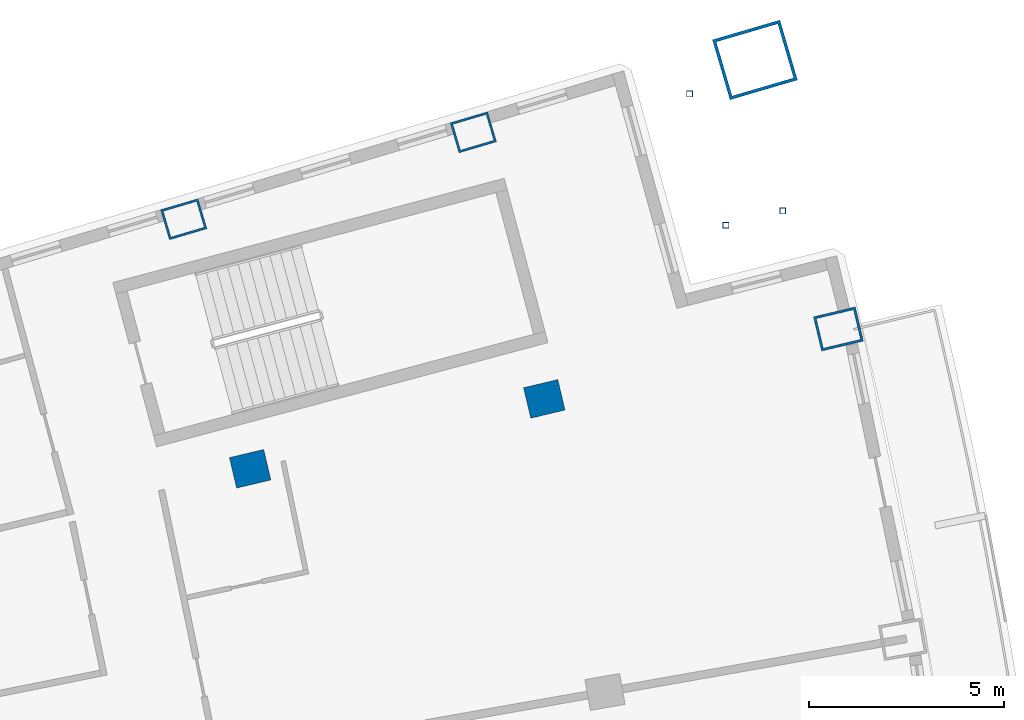
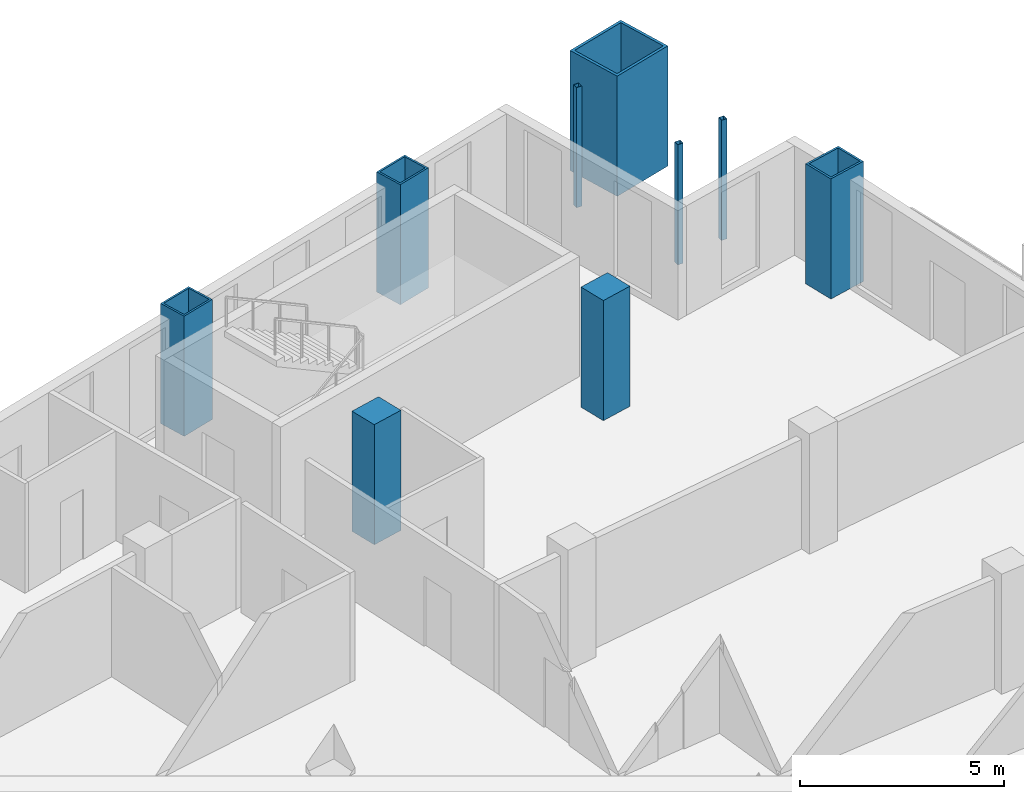
# One storey, part 8 of 19: 9 columns.
"""IFC4 building model written with IfcOpenShell, lengths in metres."""

from ifc_helpers import new_model, si_unit, direction, frame, origin, origin_2d, place, context, subcontext, project, spatial, rectangle, hollow_rectangle, extrude, material, material_profile, profile_set, type_object, element, save


model = new_model("IFC4")

# Units and contexts
model_context = context("Model", 3, precision=1e-05, world=origin(), true_north=direction((0.0, 1.0)))
body_context = subcontext(model_context, "Body", "Model", "MODEL_VIEW")
ifc_project = project(units=[si_unit("LENGTHUNIT", "METRE"), si_unit("AREAUNIT", "SQUARE_METRE"), si_unit("VOLUMEUNIT", "CUBIC_METRE"), si_unit("PLANEANGLEUNIT", "RADIAN"), si_unit("MASSUNIT", "GRAM", prefix="KILO")], contexts=[model_context])

# Site, building, storey
site_placement = place(None, origin())
site = spatial("IfcSite", under=ifc_project, at=site_placement, CompositionType="ELEMENT")
building_placement = place(site_placement, origin())
building = spatial("IfcBuilding", under=site, at=building_placement, Name="Alderwake Tower", CompositionType="ELEMENT")
storey_placement = place(building_placement, frame((0.0, 0.0, 174.800048828125)))
storey = spatial("IfcBuildingStorey", under=building, at=storey_placement, Name="L43", CompositionType="ELEMENT", Elevation=174.800048828125)

# Columns
ifc_material_1 = material(Name="Steel ASTM A572 Grade 50 concrete filled C70/85", Category="concrete")
ifc_material_profile_1 = material_profile(ifc_material_1, hollow_rectangle(XDim=0.800048828125, YDim=1.0, WallThickness=0.054931640625, at=origin_2d()), Name="BOX 1000X800X55")
ifc_profile_set_1 = profile_set([ifc_material_profile_1], Name="Steel ASTM A572 Grade 50 concrete filled C70/85")
column_type_1 = type_object("IfcColumnType", Name="End column Z3", PredefinedType="COLUMN", material=ifc_profile_set_1)
for number, where, z_axis, x_axis, name in (
    (1, (38.487060546875, 95.94677734375, 0.0), (0.0, 0.0, 1.0), (-0.282893935167, 0.959151198428, 0.0), "Column R12-C3"),
    (2, (45.89404296875, 98.17041015625, 0.0), (0.0, 0.0, 1.0), (-0.283168465256, 0.959070185276, 0.0), "Column R12-C4"),
):
    element("IfcColumn", number, at=place(storey_placement, frame(where, z_axis=z_axis, x_axis=x_axis)), inside=storey, type_object=column_type_1, Name=name, PredefinedType="COLUMN", context=body_context, shape_type="SweptSolid", body=[
        extrude(hollow_rectangle(XDim=0.800048828125, YDim=1.0, WallThickness=0.054931640625, at=origin_2d()), origin(), (0.0, 0.0, 1.0), 3.599853515625),
    ])
ifc_material_2 = material(Name="Concrete C70/85", Category="concrete")
ifc_material_profile_2 = material_profile(ifc_material_2, rectangle(XDim=0.800048828125, YDim=0.89990234375, at=origin_2d()), Name="RC 900X800")
ifc_profile_set_2 = profile_set([ifc_material_profile_2], Name="Concrete C70/85")
column_type_2 = type_object("IfcColumnType", Name="Interior column Z3", PredefinedType="COLUMN", material=ifc_profile_set_2)
for number, where, z_axis, x_axis, name in (
    (3, (40.185791015625, 89.563720703125, 0.0), (0.0, 0.0, 1.0), (-0.231221547198, 0.972901123502, 0.0), "Column R11-C3"),
    (4, (47.70947265625, 91.351806640625, 0.0), (0.0, 0.0, 1.0), (-0.231221547198, 0.972901123502, 0.0), "Column R11-C4"),
):
    element("IfcColumn", number, at=place(storey_placement, frame(where, z_axis=z_axis, x_axis=x_axis)), inside=storey, type_object=column_type_2, Name=name, PredefinedType="COLUMN", context=body_context, shape_type="SweptSolid", body=[
        extrude(rectangle(XDim=0.800048828125, YDim=0.89990234375, at=origin_2d()), origin(), (0.0, 0.0, 1.0), 3.599853515625),
    ])
ifc_material_3 = material(Name="Steel ASTM A500 Grade C", Category="steel")
ifc_material_profile_3 = material_profile(ifc_material_3, hollow_rectangle(XDim=0.15234375, YDim=0.15234375, WallThickness=0.0087890625, at=origin_2d()), Name="HSS6X6X3/8")
ifc_profile_set_3 = profile_set([ifc_material_profile_3], Name="Steel ASTM A500 Grade C")
column_type_3 = type_object("IfcColumnType", Name="Light post HSS6X6X3/8", PredefinedType="COLUMN", material=ifc_profile_set_3)
for number, where, z_axis, x_axis, name in (
    (5, (53.807861328125, 96.159423828125, 0.0), (0.0, 0.0, 1.0), (1.0, 0.0, 0.0), "Terrace post FN1"),
    (6, (51.42431640625, 99.152099609375, 0.0), (0.0, 0.0, 1.0), (1.0, 0.0, 0.0), "Terrace post FN2"),
    (7, (52.353759765625, 95.791259765625, 0.0), (0.0, 0.0, 1.0), (1.0, 0.0, 0.0), "Terrace post FN3"),
):
    element("IfcColumn", number, at=place(storey_placement, frame(where, z_axis=z_axis, x_axis=x_axis)), inside=storey, type_object=column_type_3, Name=name, PredefinedType="COLUMN", context=body_context, shape_type="SweptSolid", body=[
        extrude(hollow_rectangle(XDim=0.15234375, YDim=0.15234375, WallThickness=0.0087890625, at=origin_2d()), origin(), (0.0, 0.0, 1.0), 3.599853515625),
    ])
ifc_material_4 = material(Name="Steel ASTM A572 Grade 50 concrete filled C70/85", Category="concrete")
ifc_material_profile_4 = material_profile(ifc_material_4, hollow_rectangle(XDim=1.60009765625, YDim=1.800048828125, WallThickness=0.080078125, at=origin_2d()), Name="BOX 1800X1600X80")
ifc_profile_set_4 = profile_set([ifc_material_profile_4], Name="Steel ASTM A572 Grade 50 concrete filled C70/85")
column_type_4 = type_object("IfcColumnType", Name="Mega column Z3", PredefinedType="COLUMN", material=ifc_profile_set_4)
column_1_placement = place(storey_placement, frame((53.09765625, 100.022216796875, 0.0), z_axis=(0.0, 0.0, 1.0), x_axis=(-0.281341735468, 0.959607642677, 0.0)))
element("IfcColumn", 8, at=column_1_placement, inside=storey, type_object=column_type_4, Name="Column R12-C5", PredefinedType="COLUMN", context=body_context, shape_type="SweptSolid", body=[
    extrude(hollow_rectangle(XDim=1.60009765625, YDim=1.800048828125, WallThickness=0.080078125, at=origin_2d()), origin(), (0.0, 0.0, 1.0), 3.599853515625),
])
ifc_material_5 = material(Name="Steel ASTM A572 Grade 50 concrete filled C70/85", Category="concrete")
ifc_material_profile_5 = material_profile(ifc_material_5, hollow_rectangle(XDim=0.89990234375, YDim=1.10009765625, WallThickness=0.06005859375, at=origin_2d()), Name="BOX 1100X900X60")
ifc_profile_set_5 = profile_set([ifc_material_profile_5], Name="Steel ASTM A572 Grade 50 concrete filled C70/85")
column_type_5 = type_object("IfcColumnType", Name="Perimeter column Z3", PredefinedType="COLUMN", material=ifc_profile_set_5)
column_2_placement = place(storey_placement, frame((55.233154296875, 93.139892578125, 0.0), z_axis=(0.0, 0.0, 1.0), x_axis=(-0.231221547198, 0.972901123502, 0.0)))
element("IfcColumn", 9, at=column_2_placement, inside=storey, type_object=column_type_5, Name="Column R11-C5", PredefinedType="COLUMN", context=body_context, shape_type="SweptSolid", body=[
    extrude(hollow_rectangle(XDim=0.89990234375, YDim=1.10009765625, WallThickness=0.06005859375, at=origin_2d()), origin(), (0.0, 0.0, 1.0), 3.599853515625),
])

save(model, "model.ifc")
